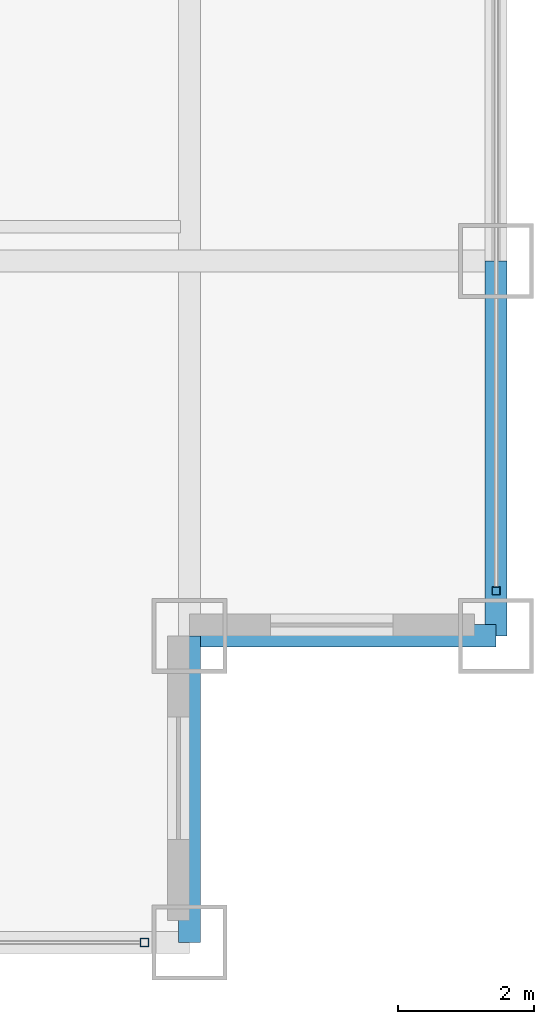
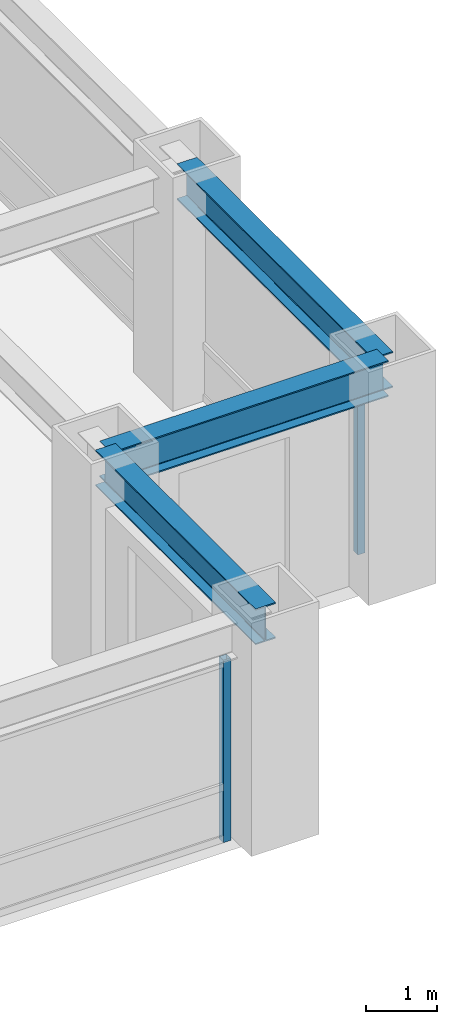
# One storey, part 8 of 24: 3 beams, 2 members, 2 elements without a shape of their own.
"""IFC4 building model written with IfcOpenShell, lengths in metres."""

from ifc_helpers import new_model, si_unit, direction, frame, origin, origin_2d, place, context, subcontext, project, spatial, hollow_rectangle, i_section, extrude, source, transform, mapped, material, material_profile, profile_set, type_object, element, aggregate, save


model = new_model("IFC4")

# Units and contexts
model_context = context("Model", 3, precision=1e-05, world=origin(), true_north=direction((0.0, 1.0)))
body_context = subcontext(model_context, "Body", "Model", "MODEL_VIEW")
ifc_project = project(units=[si_unit("LENGTHUNIT", "METRE"), si_unit("AREAUNIT", "SQUARE_METRE"), si_unit("VOLUMEUNIT", "CUBIC_METRE"), si_unit("PLANEANGLEUNIT", "RADIAN"), si_unit("MASSUNIT", "GRAM", prefix="KILO")], contexts=[model_context])

# Site, building, storey
site_placement = place(None, origin())
site = spatial("IfcSite", under=ifc_project, at=site_placement, CompositionType="ELEMENT")
building_placement = place(site_placement, origin())
building = spatial("IfcBuilding", under=site, at=building_placement, Name="Khorayat Bourse Tower", CompositionType="ELEMENT")
storey_placement = place(building_placement, frame((0.0, 0.0, 175.10009765625)))
storey = spatial("IfcBuildingStorey", under=building, at=storey_placement, Name="L40", CompositionType="ELEMENT", Elevation=175.10009765625)

# Beams
ifc_material_1 = material(Name="Steel ASTM A992 Grade 50", Category="steel")
ifc_material_profile_1 = material_profile(ifc_material_1, i_section(OverallWidth=0.324951171875, OverallDepth=0.615966796875, WebThickness=0.013916015625, FlangeThickness=0.021484375, FilletRadius=0.01611328125, at=origin_2d()), Name="W610X174")
ifc_profile_set_1 = profile_set([ifc_material_profile_1], Name="Steel ASTM A992 Grade 50")
beam_type = type_object("IfcBeamType", Name="BM-SPAN-610", PredefinedType="SPANDREL", material=ifc_profile_set_1)
shared_shape_1 = source(origin(), body_context, "Body", "SweptSolid", [
    extrude(i_section(OverallWidth=0.324951171875, OverallDepth=0.615966796875, WebThickness=0.013916015625, FlangeThickness=0.021484375, FilletRadius=0.01611328125, at=origin_2d()), origin(), (0.0, 0.0, 1.0), 5.5),
])
beam_placement = place(storey_placement, frame((30.0, -25.5, 3.471923828125), z_axis=(0.0, 1.0, 0.0), x_axis=(-1.0, 0.0, 0.0)))
element("IfcBeam", 1, at=beam_placement, inside=storey, type_object=beam_type, Name="L40 BM-SPAN-610 BM-L40-SPN-034", PredefinedType="SPANDREL", context=body_context, shape_type="MappedRepresentation", body=[
    mapped(shared_shape_1, transform((0.0, 0.0, 0.0), scale=1.0)),
])
shared_shape_2 = source(origin(), body_context, "Body", "SweptSolid", [
    extrude(i_section(OverallWidth=0.324951171875, OverallDepth=0.615966796875, WebThickness=0.013916015625, FlangeThickness=0.021484375, FilletRadius=0.01611328125, at=origin_2d()), origin(), (0.0, 0.0, 1.0), 4.5),
])
for number, where, z_axis, x_axis, name in (
    (2, (25.5, -30.0, 3.471923828125), (0.0, 1.0, 0.0), (-1.0, 0.0, 0.0), "L40 BM-SPAN-610 BM-L40-SPN-032"),
    (3, (25.5, -25.5, 3.471923828125), (1.0, 0.0, 0.0), (0.0, 1.0, 0.0), "L40 BM-SPAN-610 BM-L40-SPN-033"),
):
    element("IfcBeam", number, at=place(storey_placement, frame(where, z_axis=z_axis, x_axis=x_axis)), inside=storey, type_object=beam_type, Name=name, PredefinedType="SPANDREL", context=body_context, shape_type="MappedRepresentation", body=[
        mapped(shared_shape_2, transform((0.0, 0.0, 0.0), scale=1.0)),
    ])

# Curtain wall, member
ifc_material_2 = material(Name="Aluminium EN AW-6063 T6", Category="aluminium")
curtain_wall_type = type_object("IfcCurtainWallType", Name="CW-SYS-03", PredefinedType="NOTDEFINED", material=ifc_material_2)
curtain_wall_1_placement = place(storey_placement, origin())
curtain_wall_1 = element("IfcCurtainWall", 4, at=curtain_wall_1_placement, inside=storey, type_object=curtain_wall_type, Name="L40 Curtain Wall CW-L40-S1", PredefinedType="NOTDEFINED")
ifc_material_profile_2 = material_profile(ifc_material_2, hollow_rectangle(XDim=0.1201171875, YDim=0.1201171875, WallThickness=0.0048828125, at=origin_2d()), Name="ALU 120x120x5")
ifc_profile_set_2 = profile_set([ifc_material_profile_2], Name="Aluminium EN AW-6063 T6")
member_type = type_object("IfcMemberType", Name="CWM-VERT-120", PredefinedType="MULLION", material=ifc_profile_set_2)
shared_shape_3 = source(origin(), body_context, "Body", "SweptSolid", [
    extrude(hollow_rectangle(XDim=0.1201171875, YDim=0.1201171875, WallThickness=0.0048828125, at=origin_2d()), origin(), (0.0, 0.0, 1.0), 3.1298828125),
])
member_1_placement = place(storey_placement, frame((24.840087890625, -30.0, 0.0), z_axis=(0.0, 0.0, 1.0), x_axis=(0.0, 1.0, 0.0)))
member_1 = element("IfcMember", 5, at=member_1_placement, type_object=member_type, Name="CW-L40-S1 Vertical Mullion 3", PredefinedType="MULLION", context=body_context, shape_type="MappedRepresentation", body=[
    mapped(shared_shape_3, transform((0.0, 0.0, 0.0), scale=1.0)),
])
aggregate(curtain_wall_1, [member_1])

curtain_wall_2_placement = place(storey_placement, origin())
curtain_wall_2 = element("IfcCurtainWall", 6, at=curtain_wall_2_placement, inside=storey, type_object=curtain_wall_type, Name="L40 Curtain Wall CW-L40-E1", PredefinedType="NOTDEFINED")
member_2_placement = place(storey_placement, frame((30.0, -24.840087890625, 0.0), z_axis=(0.0, 0.0, 1.0), x_axis=(-1.0, 0.0, 0.0)))
member_2 = element("IfcMember", 7, at=member_2_placement, type_object=member_type, Name="CW-L40-E1 Vertical Mullion 1", PredefinedType="MULLION", context=body_context, shape_type="MappedRepresentation", body=[
    mapped(shared_shape_3, transform((0.0, 0.0, 0.0), scale=1.0)),
])
aggregate(curtain_wall_2, [member_2])

save(model, "model.ifc")
